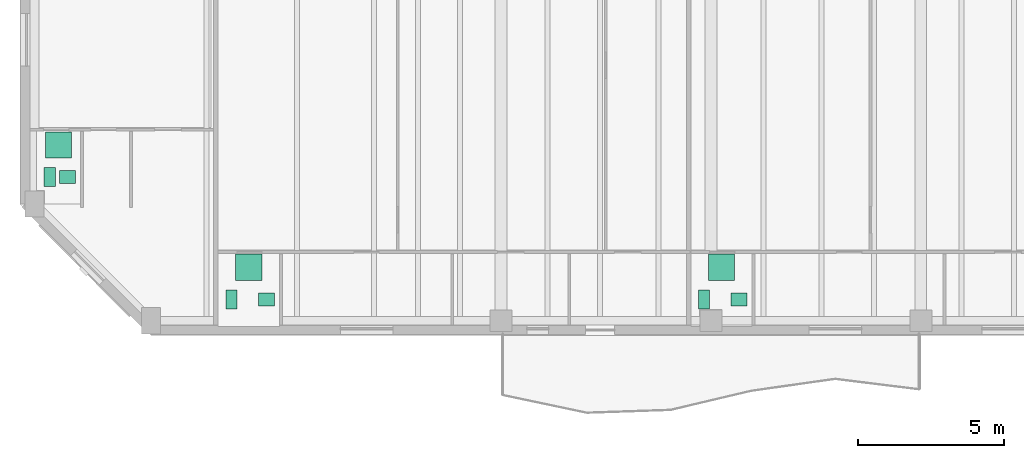
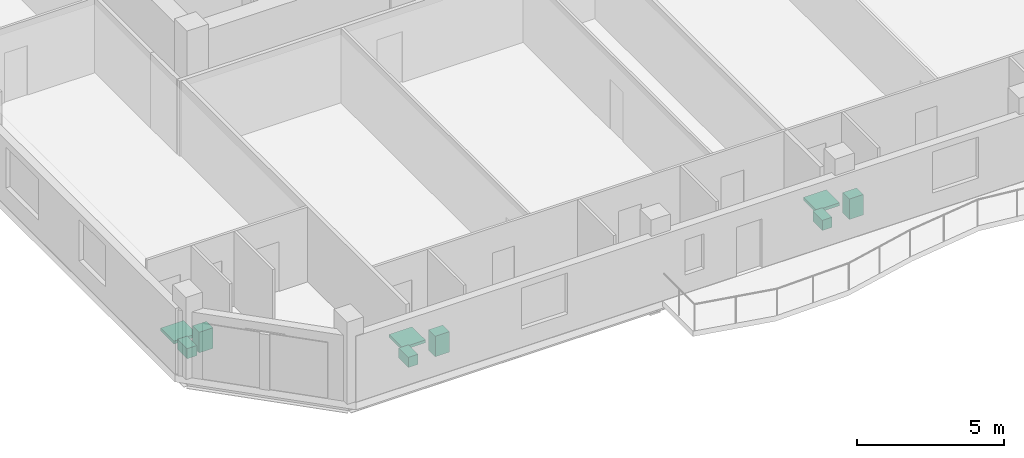
# One storey, part 10 of 10: 9 sanitary terminals.
"""IFC4 building model written with IfcOpenShell, lengths in metres."""

from ifc_helpers import new_model, si_unit, direction, frame, origin, origin_2d, place, context, subcontext, project, spatial, rectangle, extrude, material, type_object, element, save


model = new_model("IFC4")

# Units and contexts
model_context = context("Model", 3, precision=1e-05, world=origin(), true_north=direction((0.0, 1.0)))
body_context = subcontext(model_context, "Body", "Model", "MODEL_VIEW")
ifc_project = project(units=[si_unit("LENGTHUNIT", "METRE"), si_unit("AREAUNIT", "SQUARE_METRE"), si_unit("VOLUMEUNIT", "CUBIC_METRE"), si_unit("PLANEANGLEUNIT", "RADIAN"), si_unit("MASSUNIT", "GRAM", prefix="KILO")], contexts=[model_context])

# Site, building, storey
site_placement = place(None, origin())
site = spatial("IfcSite", under=ifc_project, at=site_placement, CompositionType="ELEMENT")
building_placement = place(site_placement, origin())
building = spatial("IfcBuilding", under=site, at=building_placement, Name="Kranthara Brick Stack", CompositionType="ELEMENT")
storey_placement = place(building_placement, frame((0.0, 0.0, 214.300048828125)))
storey = spatial("IfcBuildingStorey", under=building, at=storey_placement, Name="L55", CompositionType="ELEMENT", Elevation=214.300048828125)

# Sanitary terminals
ifc_material_1 = material(Name="Vitreous china sanitary porcelain", Category="other")
sanitary_terminal_type_1 = type_object("IfcSanitaryTerminalType", Name="SAN-BASIN", PredefinedType="WASHHANDBASIN", material=ifc_material_1)
for number, where, z_axis, x_axis, name in (
    (1, (12.75, 3.925048828125, 0.0), (0.0, 0.0, 1.0), (1.0, 0.0, 0.0), "L55 Washbasin 299"),
    (2, (28.964111328125, 3.925048828125, 0.0), (0.0, 0.0, 1.0), (1.0, 0.0, 0.0), "L55 Washbasin 300"),
    (3, (5.925048828125, 8.125, 0.0), (0.0, 0.0, 1.0), (1.0, 0.0, 0.0), "L55 Washbasin 301"),
):
    element("IfcSanitaryTerminal", number, at=place(storey_placement, frame(where, z_axis=z_axis, x_axis=x_axis)), inside=storey, type_object=sanitary_terminal_type_1, Name=name, PredefinedType="WASHHANDBASIN", context=body_context, shape_type="SweptSolid", body=[
        extrude(rectangle(XDim=0.550048828125, YDim=0.449951171875, at=origin_2d()), origin(), (0.0, 0.0, 1.0), 0.85009765625),
    ])
ifc_material_2 = material(Name="Acrylic and porcelain shower tray", Category="other")
sanitary_terminal_type_2 = type_object("IfcSanitaryTerminalType", Name="SAN-SHOWER", PredefinedType="SHOWER", material=ifc_material_2)
for number, where, z_axis, x_axis, name in (
    (4, (12.14990234375, 5.030029296875, 0.0), (0.0, 0.0, 1.0), (1.0, 0.0, 0.0), "L55 Shower Tray 299"),
    (5, (28.364013671875, 5.030029296875, 0.0), (0.0, 0.0, 1.0), (1.0, 0.0, 0.0), "L55 Shower Tray 300"),
    (6, (5.623046875, 9.22998046875, 0.0), (0.0, 0.0, 1.0), (1.0, 0.0, 0.0), "L55 Shower Tray 301"),
):
    element("IfcSanitaryTerminal", number, at=place(storey_placement, frame(where, z_axis=z_axis, x_axis=x_axis)), inside=storey, type_object=sanitary_terminal_type_2, Name=name, PredefinedType="SHOWER", context=body_context, shape_type="SweptSolid", body=[
        extrude(rectangle(XDim=0.89990234375, YDim=0.89990234375, at=origin_2d()), origin(), (0.0, 0.0, 1.0), 0.1201171875),
    ])
ifc_material_3 = material(Name="Vitreous china sanitary porcelain", Category="other")
sanitary_terminal_type_3 = type_object("IfcSanitaryTerminalType", Name="SAN-WC-PAN", PredefinedType="TOILETPAN", material=ifc_material_3)
for number, where, z_axis, x_axis, name in (
    (7, (11.550048828125, 3.925048828125, 0.0), (0.0, 0.0, 1.0), (1.0, 0.0, 0.0), "L55 WC Pan 299"),
    (8, (27.763916015625, 3.925048828125, 0.0), (0.0, 0.0, 1.0), (1.0, 0.0, 0.0), "L55 WC Pan 300"),
    (9, (5.320068359375, 8.125, 0.0), (0.0, 0.0, 1.0), (1.0, 0.0, 0.0), "L55 WC Pan 301"),
):
    element("IfcSanitaryTerminal", number, at=place(storey_placement, frame(where, z_axis=z_axis, x_axis=x_axis)), inside=storey, type_object=sanitary_terminal_type_3, Name=name, PredefinedType="TOILETPAN", context=body_context, shape_type="SweptSolid", body=[
        extrude(rectangle(XDim=0.3798828125, YDim=0.64990234375, at=origin_2d()), origin(), (0.0, 0.0, 1.0), 0.419921875),
    ])

save(model, "model.ifc")
